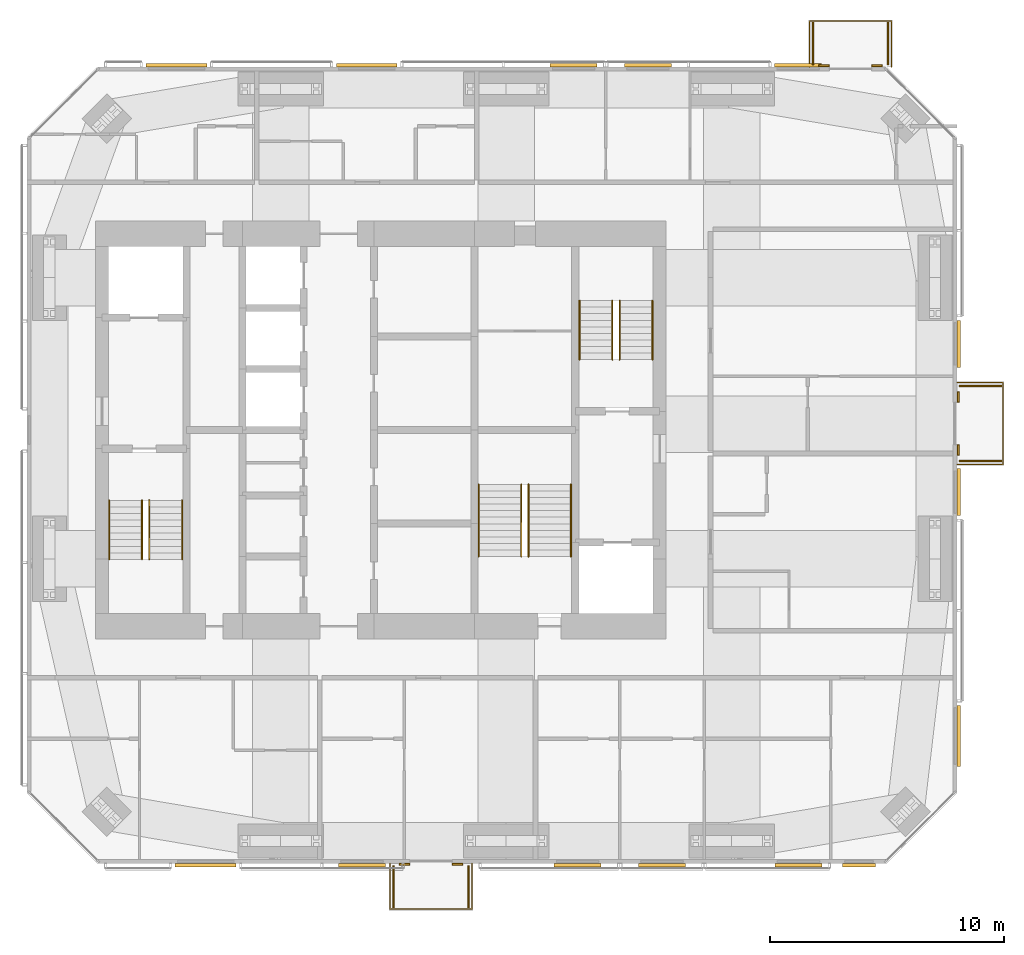
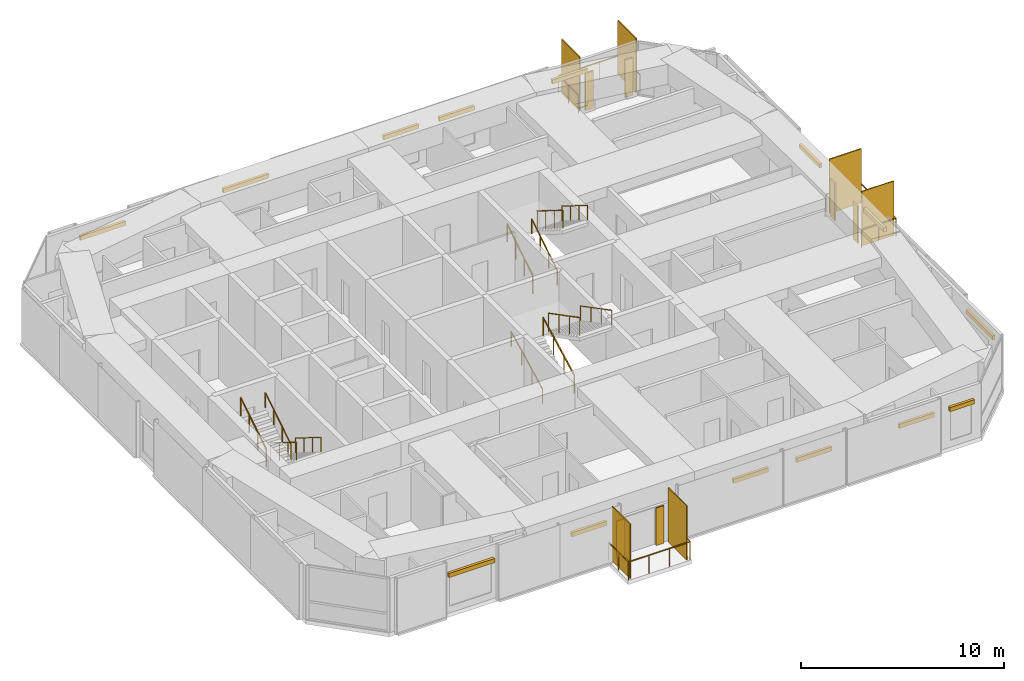
# One storey, part 18 of 18: 26 shading devices, 15 railings.
"""IFC4 building model written with IfcOpenShell, lengths in metres."""

from ifc_helpers import new_model, si_unit, direction, frame, origin, origin_2d, place, context, subcontext, project, spatial, rectangle, circle, extrude, material, layer, layer_set, constituent, constituent_set, type_object, element, save


model = new_model("IFC4")

# Units and contexts
model_context = context("Model", 3, precision=1e-05, world=origin(), true_north=direction((0.0, 1.0)))
body_context = subcontext(model_context, "Body", "Model", "MODEL_VIEW")
ifc_project = project(units=[si_unit("LENGTHUNIT", "METRE"), si_unit("AREAUNIT", "SQUARE_METRE"), si_unit("VOLUMEUNIT", "CUBIC_METRE"), si_unit("PLANEANGLEUNIT", "RADIAN"), si_unit("MASSUNIT", "GRAM", prefix="KILO")], contexts=[model_context])

# Site, building, storey
site_placement = place(None, origin())
site = spatial("IfcSite", under=ifc_project, at=site_placement, CompositionType="ELEMENT")
building_placement = place(site_placement, origin())
building = spatial("IfcBuilding", under=site, at=building_placement, Name="Jalousie Tower", CompositionType="ELEMENT")
storey_placement = place(building_placement, frame((0.0, 0.0, 228.449951171875)))
storey = spatial("IfcBuildingStorey", under=building, at=storey_placement, Name="L62", CompositionType="ELEMENT", Elevation=228.449951171875)

# Shading devices
ifc_material_1 = material(Name="Aluminium impact-rated louvred storm shutter", Category="aluminium")
shading_device_type_1 = type_object("IfcShadingDeviceType", Name="BI-FOLD STORM SHUTTER 900x2250", PredefinedType="SHUTTER", material=ifc_material_1)
for number, where, z_axis, x_axis, name in (
    (1, (32.9150390625, -0.0400390625, 0.0), (0.0, 0.0, 1.0), (1.0, 0.0, 0.0), "Balcony storm shutter L62"),
    (2, (35.1650390625, -0.0400390625, 0.0), (0.0, 0.0, 1.0), (1.0, 0.0, 0.0), "Balcony storm shutter L62"),
    (3, (56.5400390625, 17.64990234375, 0.0), (0.0, 0.0, 1.0), (0.0, 1.0, 0.0), "Balcony storm shutter L62"),
    (4, (56.5400390625, 19.89990234375, 0.0), (0.0, 0.0, 1.0), (0.0, 1.0, 0.0), "Balcony storm shutter L62"),
    (5, (53.07373046875, 34.0400390625, 0.0), (0.0, 0.0, 1.0), (-1.0, 0.0, 0.0), "Balcony storm shutter L62"),
    (6, (50.82373046875, 34.0400390625, 0.0), (0.0, 0.0, 1.0), (-1.0, 0.0, 0.0), "Balcony storm shutter L62"),
):
    element("IfcShadingDevice", number, at=place(storey_placement, frame(where, z_axis=z_axis, x_axis=x_axis)), inside=storey, type_object=shading_device_type_1, Name=name, PredefinedType="SHUTTER", context=body_context, shape_type="SweptSolid", body=[
        extrude(rectangle(XDim=0.449951171875, YDim=0.080078125, at=origin_2d()), origin(), (0.0, 0.0, 1.0), 2.25),
    ])

# Railings
ifc_material_2 = material(Name="Powder-coated aluminium fretwork", Category="aluminium")
railing_type_1 = type_object("IfcRailingType", Name="FRETWORK BALUSTRADE 1100", PredefinedType="BALUSTRADE", material=ifc_material_2)
railing_1_placement = place(storey_placement, frame((32.2900390625, 0.0, 0.0)))
element("IfcRailing", 7, at=railing_1_placement, inside=storey, type_object=railing_type_1, Name="Balcony fretwork balustrade L62", PredefinedType="BALUSTRADE", context=body_context, shape_type="SweptSolid", body=[
    extrude(rectangle(XDim=0.048095703125, YDim=0.048095703125, at=origin_2d()), frame((0.0, 0.0, 1.076171875), z_axis=(0.0, -1.0, 0.0), x_axis=(1.0, 0.0, 0.0)), (0.0, 0.0, 1.0), 1.949951171875),
    extrude(rectangle(XDim=0.048095703125, YDim=0.048095703125, at=origin_2d()), frame((0.0, -1.949951171875, 1.076171875), z_axis=(1.0, 0.0, 0.0), x_axis=(0.0, 1.0, 0.0)), (0.0, 0.0, 1.0), 3.5),
    extrude(rectangle(XDim=0.048095703125, YDim=0.048095703125, at=origin_2d()), frame((3.5, -1.949951171875, 1.076171875), z_axis=(0.0, 1.0, 0.0), x_axis=(-1.0, 0.0, 0.0)), (0.0, 0.0, 1.0), 1.949951171875),
    extrude(circle(Radius=0.02099609375, at=origin_2d()), origin(), (0.0, 0.0, 1.0), 1.052001953125),
    extrude(circle(Radius=0.02099609375, at=origin_2d()), frame((0.0, -0.97509765625, 0.0)), (0.0, 0.0, 1.0), 1.052001953125),
    extrude(circle(Radius=0.02099609375, at=origin_2d()), frame((0.0, -1.949951171875, 0.0)), (0.0, 0.0, 1.0), 1.052001953125),
    extrude(circle(Radius=0.02099609375, at=origin_2d()), frame((1.166748046875, -1.949951171875, 0.0)), (0.0, 0.0, 1.0), 1.052001953125),
    extrude(circle(Radius=0.02099609375, at=origin_2d()), frame((2.333251953125, -1.949951171875, 0.0)), (0.0, 0.0, 1.0), 1.052001953125),
    extrude(circle(Radius=0.02099609375, at=origin_2d()), frame((3.5, -1.949951171875, 0.0)), (0.0, 0.0, 1.0), 1.052001953125),
    extrude(circle(Radius=0.02099609375, at=origin_2d()), frame((3.5, -0.97509765625, 0.0)), (0.0, 0.0, 1.0), 1.052001953125),
    extrude(circle(Radius=0.02099609375, at=origin_2d()), frame((3.5, 0.0, 0.0)), (0.0, 0.0, 1.0), 1.052001953125),
])
railing_2_placement = place(storey_placement, frame((56.5, 17.02490234375, 0.0)))
element("IfcRailing", 8, at=railing_2_placement, inside=storey, type_object=railing_type_1, Name="Balcony fretwork balustrade L62", PredefinedType="BALUSTRADE", context=body_context, shape_type="SweptSolid", body=[
    extrude(rectangle(XDim=0.048095703125, YDim=0.048095703125, at=origin_2d()), frame((0.0, 0.0, 1.076171875), z_axis=(1.0, 0.0, 0.0), x_axis=(0.0, 1.0, 0.0)), (0.0, 0.0, 1.0), 1.949951171875),
    extrude(rectangle(XDim=0.048095703125, YDim=0.048095703125, at=origin_2d()), frame((1.949951171875, 0.0, 1.076171875), z_axis=(0.0, 1.0, 0.0), x_axis=(-1.0, 0.0, 0.0)), (0.0, 0.0, 1.0), 3.5),
    extrude(rectangle(XDim=0.048095703125, YDim=0.048095703125, at=origin_2d()), frame((1.949951171875, 3.5, 1.076171875), z_axis=(-1.0, 0.0, 0.0), x_axis=(0.0, -1.0, 0.0)), (0.0, 0.0, 1.0), 1.949951171875),
    extrude(circle(Radius=0.02099609375, at=origin_2d()), origin(), (0.0, 0.0, 1.0), 1.052001953125),
    extrude(circle(Radius=0.02099609375, at=origin_2d()), frame((0.97509765625, 0.0, 0.0)), (0.0, 0.0, 1.0), 1.052001953125),
    extrude(circle(Radius=0.02099609375, at=origin_2d()), frame((1.949951171875, 0.0, 0.0)), (0.0, 0.0, 1.0), 1.052001953125),
    extrude(circle(Radius=0.02099609375, at=origin_2d()), frame((1.949951171875, 1.166748046875, 0.0)), (0.0, 0.0, 1.0), 1.052001953125),
    extrude(circle(Radius=0.02099609375, at=origin_2d()), frame((1.949951171875, 2.333251953125, 0.0)), (0.0, 0.0, 1.0), 1.052001953125),
    extrude(circle(Radius=0.02099609375, at=origin_2d()), frame((1.949951171875, 3.5, 0.0)), (0.0, 0.0, 1.0), 1.052001953125),
    extrude(circle(Radius=0.02099609375, at=origin_2d()), frame((0.97509765625, 3.5, 0.0)), (0.0, 0.0, 1.0), 1.052001953125),
    extrude(circle(Radius=0.02099609375, at=origin_2d()), frame((0.0, 3.5, 0.0)), (0.0, 0.0, 1.0), 1.052001953125),
])
railing_3_placement = place(storey_placement, frame((53.69873046875, 34.0, 0.0)))
element("IfcRailing", 9, at=railing_3_placement, inside=storey, type_object=railing_type_1, Name="Balcony fretwork balustrade L62", PredefinedType="BALUSTRADE", context=body_context, shape_type="SweptSolid", body=[
    extrude(rectangle(XDim=0.048095703125, YDim=0.048095703125, at=origin_2d()), frame((0.0, 0.0, 1.076171875), z_axis=(0.0, 1.0, 0.0), x_axis=(-1.0, 0.0, 0.0)), (0.0, 0.0, 1.0), 1.949951171875),
    extrude(rectangle(XDim=0.048095703125, YDim=0.048095703125, at=origin_2d()), frame((0.0, 1.949951171875, 1.076171875), z_axis=(-1.0, 0.0, 0.0), x_axis=(0.0, -1.0, 0.0)), (0.0, 0.0, 1.0), 3.5),
    extrude(rectangle(XDim=0.048095703125, YDim=0.048095703125, at=origin_2d()), frame((-3.5, 1.949951171875, 1.076171875), z_axis=(0.0, -1.0, 0.0), x_axis=(1.0, 0.0, 0.0)), (0.0, 0.0, 1.0), 1.949951171875),
    extrude(circle(Radius=0.02099609375, at=origin_2d()), origin(), (0.0, 0.0, 1.0), 1.052001953125),
    extrude(circle(Radius=0.02099609375, at=origin_2d()), frame((0.0, 0.97509765625, 0.0)), (0.0, 0.0, 1.0), 1.052001953125),
    extrude(circle(Radius=0.02099609375, at=origin_2d()), frame((0.0, 1.949951171875, 0.0)), (0.0, 0.0, 1.0), 1.052001953125),
    extrude(circle(Radius=0.02099609375, at=origin_2d()), frame((-1.166748046875, 1.949951171875, 0.0)), (0.0, 0.0, 1.0), 1.052001953125),
    extrude(circle(Radius=0.02099609375, at=origin_2d()), frame((-2.333251953125, 1.949951171875, 0.0)), (0.0, 0.0, 1.0), 1.052001953125),
    extrude(circle(Radius=0.02099609375, at=origin_2d()), frame((-3.5, 1.949951171875, 0.0)), (0.0, 0.0, 1.0), 1.052001953125),
    extrude(circle(Radius=0.02099609375, at=origin_2d()), frame((-3.5, 0.97509765625, 0.0)), (0.0, 0.0, 1.0), 1.052001953125),
    extrude(circle(Radius=0.02099609375, at=origin_2d()), frame((-3.5, 0.0, 0.0)), (0.0, 0.0, 1.0), 1.052001953125),
])

# Shading devices
ifc_material_3 = material(Name="Powder-coated aluminium louvres", Category="aluminium")
ifc_layer = layer(ifc_material_3, 0.06005859375)
ifc_layer_set = layer_set([ifc_layer], Name="Powder-coated aluminium louvres")
shading_device_type_2 = type_object("IfcShadingDeviceType", Name="JALOUSIE LOUVRE SCREEN", PredefinedType="JALOUSIE", material=ifc_layer_set)
for number, where, z_axis, x_axis, name in (
    (10, (32.43994140625, -1.0, 0.0), (0.0, 0.0, 1.0), (1.0, 0.0, 0.0), "Jalousie louvre screen L62"),
    (11, (35.639892578125, -1.0, 0.0), (0.0, 0.0, 1.0), (1.0, 0.0, 0.0), "Jalousie louvre screen L62"),
    (12, (57.5, 17.175048828125, 0.0), (0.0, 0.0, 1.0), (0.0, 1.0, 0.0), "Jalousie louvre screen L62"),
    (13, (57.5, 20.375, 0.0), (0.0, 0.0, 1.0), (0.0, 1.0, 0.0), "Jalousie louvre screen L62"),
    (14, (53.548583984375, 35.0, 0.0), (0.0, 0.0, 1.0), (-1.0, 0.0, 0.0), "Jalousie louvre screen L62"),
    (15, (50.3486328125, 35.0, 0.0), (0.0, 0.0, 1.0), (-1.0, 0.0, 0.0), "Jalousie louvre screen L62"),
):
    element("IfcShadingDevice", number, at=place(storey_placement, frame(where, z_axis=z_axis, x_axis=x_axis)), inside=storey, type_object=shading_device_type_2, Name=name, PredefinedType="JALOUSIE", context=body_context, shape_type="SweptSolid", body=[
        extrude(rectangle(XDim=0.06005859375, YDim=1.800048828125, at=origin_2d()), origin(), (0.0, 0.0, 1.0), 3.260009765625),
    ])

# Railings
ifc_material_4 = material(Name="Steel ASTM A500 Grade C", Category="steel")
ifc_constituent_1 = constituent(ifc_material_4, Name="Body")
ifc_material_5 = material(Name="Hot-dip galvanised zinc coating")
ifc_constituent_2 = constituent(ifc_material_5, Name="Finish")
ifc_constituent_set_1 = constituent_set(constituents=[ifc_constituent_1, ifc_constituent_2])
railing_type_2 = type_object("IfcRailingType", Name="STAIR GUARD 1100", PredefinedType="GUARDRAIL", material=ifc_constituent_set_1)
railing_4_placement = place(storey_placement, frame((22.017578125, 15.49755859375, 0.175048828125)))
element("IfcRailing", 16, at=railing_4_placement, inside=storey, type_object=railing_type_2, Name="Exit stair A guard L62 flight 1", PredefinedType="GUARDRAIL", context=body_context, shape_type="SweptSolid", body=[
    extrude(rectangle(XDim=0.048095703125, YDim=0.048095703125, at=origin_2d()), frame((0.0, 0.0, 1.076171875), z_axis=(0.0, -0.848007534815, 0.529984170421), x_axis=(1.0, 0.0, 0.0)), (0.0, 0.0, 1.0), 2.9716796875),
    extrude(circle(Radius=0.02099609375, at=origin_2d()), origin(), (0.0, 0.0, 1.0), 1.052001953125),
    extrude(circle(Radius=0.02099609375, at=origin_2d()), frame((0.0, -0.840087890625, 0.52490234375)), (0.0, 0.0, 1.0), 1.052001953125),
    extrude(circle(Radius=0.02099609375, at=origin_2d()), frame((0.0, -1.679931640625, 1.050048828125)), (0.0, 0.0, 1.0), 1.052001953125),
    extrude(circle(Radius=0.02099609375, at=origin_2d()), frame((0.0, -2.52001953125, 1.574951171875)), (0.0, 0.0, 1.0), 1.052001953125),
])
for number, where, name in (
    (17, (20.304931640625, 12.9775390625, 1.925048828125), "Exit stair A guard L62 flight 2"),
    (18, (40.3798828125, 21.50244140625, 0.175048828125), "Exit stair B guard L62 flight 1"),
):
    element("IfcRailing", number, at=place(storey_placement, frame(where)), inside=storey, type_object=railing_type_2, Name=name, PredefinedType="GUARDRAIL", context=body_context, shape_type="SweptSolid", body=[
        extrude(rectangle(XDim=0.048095703125, YDim=0.048095703125, at=origin_2d()), frame((0.0, 0.0, 1.076171875), z_axis=(0.0, 0.848007534815, 0.529984170421), x_axis=(-1.0, 0.0, 0.0)), (0.0, 0.0, 1.0), 2.9716796875),
        extrude(circle(Radius=0.02099609375, at=origin_2d()), origin(), (0.0, 0.0, 1.0), 1.052001953125),
        extrude(circle(Radius=0.02099609375, at=origin_2d()), frame((0.0, 0.840087890625, 0.52490234375)), (0.0, 0.0, 1.0), 1.052001953125),
        extrude(circle(Radius=0.02099609375, at=origin_2d()), frame((0.0, 1.679931640625, 1.050048828125)), (0.0, 0.0, 1.0), 1.052001953125),
        extrude(circle(Radius=0.02099609375, at=origin_2d()), frame((0.0, 2.52001953125, 1.574951171875)), (0.0, 0.0, 1.0), 1.052001953125),
    ])
railing_5_placement = place(storey_placement, frame((42.092529296875, 24.0224609375, 1.925048828125)))
element("IfcRailing", 19, at=railing_5_placement, inside=storey, type_object=railing_type_2, Name="Exit stair B guard L62 flight 2", PredefinedType="GUARDRAIL", context=body_context, shape_type="SweptSolid", body=[
    extrude(rectangle(XDim=0.048095703125, YDim=0.048095703125, at=origin_2d()), frame((0.0, 0.0, 1.076171875), z_axis=(0.0, -0.848007534815, 0.529984170421), x_axis=(1.0, 0.0, 0.0)), (0.0, 0.0, 1.0), 2.9716796875),
    extrude(circle(Radius=0.02099609375, at=origin_2d()), origin(), (0.0, 0.0, 1.0), 1.052001953125),
    extrude(circle(Radius=0.02099609375, at=origin_2d()), frame((0.0, -0.840087890625, 0.52490234375)), (0.0, 0.0, 1.0), 1.052001953125),
    extrude(circle(Radius=0.02099609375, at=origin_2d()), frame((0.0, -1.679931640625, 1.050048828125)), (0.0, 0.0, 1.0), 1.052001953125),
    extrude(circle(Radius=0.02099609375, at=origin_2d()), frame((0.0, -2.52001953125, 1.574951171875)), (0.0, 0.0, 1.0), 1.052001953125),
])
railing_6_placement = place(storey_placement, frame((37.89501953125, 13.097412109375, 0.145751953125)))
element("IfcRailing", 20, at=railing_6_placement, inside=storey, type_object=railing_type_2, Name="Exit stair C guard L62 flight 1", PredefinedType="GUARDRAIL", context=body_context, shape_type="SweptSolid", body=[
    extrude(rectangle(XDim=0.048095703125, YDim=0.048095703125, at=origin_2d()), frame((0.0, 0.0, 1.076171875), z_axis=(0.0, 0.886909283822, 0.461943635383), x_axis=(-1.0, 0.0, 0.0)), (0.0, 0.0, 1.0), 3.472900390625),
    extrude(circle(Radius=0.02099609375, at=origin_2d()), origin(), (0.0, 0.0, 1.0), 1.052001953125),
    extrude(circle(Radius=0.02099609375, at=origin_2d()), frame((0.0, 1.026611328125, 0.53466796875)), (0.0, 0.0, 1.0), 1.052001953125),
    extrude(circle(Radius=0.02099609375, at=origin_2d()), frame((0.0, 2.053466796875, 1.069580078125)), (0.0, 0.0, 1.0), 1.052001953125),
    extrude(circle(Radius=0.02099609375, at=origin_2d()), frame((0.0, 3.080078125, 1.604248046875)), (0.0, 0.0, 1.0), 1.052001953125),
])
railing_7_placement = place(storey_placement, frame((38.205078125, 16.177490234375, 1.895751953125)))
element("IfcRailing", 21, at=railing_7_placement, inside=storey, type_object=railing_type_2, Name="Exit stair C guard L62 flight 2", PredefinedType="GUARDRAIL", context=body_context, shape_type="SweptSolid", body=[
    extrude(rectangle(XDim=0.048095703125, YDim=0.048095703125, at=origin_2d()), frame((0.0, 0.0, 1.076171875), z_axis=(0.0, -0.886909283822, 0.461943635383), x_axis=(1.0, 0.0, 0.0)), (0.0, 0.0, 1.0), 3.472900390625),
    extrude(circle(Radius=0.02099609375, at=origin_2d()), origin(), (0.0, 0.0, 1.0), 1.052001953125),
    extrude(circle(Radius=0.02099609375, at=origin_2d()), frame((0.0, -1.026611328125, 0.53466796875)), (0.0, 0.0, 1.0), 1.052001953125),
    extrude(circle(Radius=0.02099609375, at=origin_2d()), frame((0.0, -2.053466796875, 1.069580078125)), (0.0, 0.0, 1.0), 1.052001953125),
    extrude(circle(Radius=0.02099609375, at=origin_2d()), frame((0.0, -3.080078125, 1.604248046875)), (0.0, 0.0, 1.0), 1.052001953125),
])
ifc_material_6 = material(Name="Steel ASTM A500 Grade C", Category="steel")
ifc_constituent_3 = constituent(ifc_material_6, Name="Body")
ifc_material_7 = material(Name="Hot-dip galvanised zinc coating")
ifc_constituent_4 = constituent(ifc_material_7, Name="Finish")
ifc_constituent_set_2 = constituent_set(constituents=[ifc_constituent_3, ifc_constituent_4])
railing_type_3 = type_object("IfcRailingType", Name="STAIR HANDRAIL 900", PredefinedType="HANDRAIL", material=ifc_constituent_set_2)
railing_8_placement = place(storey_placement, frame((23.420166015625, 15.49755859375, 0.175048828125)))
element("IfcRailing", 22, at=railing_8_placement, inside=storey, type_object=railing_type_3, Name="Exit stair A handrail L62 flight 1", PredefinedType="HANDRAIL", context=body_context, shape_type="SweptSolid", body=[
    extrude(circle(Radius=0.02392578125, at=origin_2d()), frame((0.0, 0.0, 0.8759765625), z_axis=(0.0, -0.848007534815, 0.529984170421), x_axis=(1.0, 0.0, 0.0)), (0.0, 0.0, 1.0), 2.9716796875),
    extrude(circle(Radius=0.02099609375, at=origin_2d()), origin(), (0.0, 0.0, 1.0), 0.851806640625),
    extrude(circle(Radius=0.02099609375, at=origin_2d()), frame((0.0, -0.840087890625, 0.52490234375)), (0.0, 0.0, 1.0), 0.851806640625),
    extrude(circle(Radius=0.02099609375, at=origin_2d()), frame((0.0, -1.679931640625, 1.050048828125)), (0.0, 0.0, 1.0), 0.851806640625),
    extrude(circle(Radius=0.02099609375, at=origin_2d()), frame((0.0, -2.52001953125, 1.574951171875)), (0.0, 0.0, 1.0), 0.851806640625),
])
for number, where, name in (
    (23, (21.70751953125, 12.9775390625, 1.925048828125), "Exit stair A handrail L62 flight 2"),
    (24, (41.782470703125, 21.50244140625, 0.175048828125), "Exit stair B handrail L62 flight 1"),
):
    element("IfcRailing", number, at=place(storey_placement, frame(where)), inside=storey, type_object=railing_type_3, Name=name, PredefinedType="HANDRAIL", context=body_context, shape_type="SweptSolid", body=[
        extrude(circle(Radius=0.02392578125, at=origin_2d()), frame((0.0, 0.0, 0.8759765625), z_axis=(0.0, 0.848007534815, 0.529984170421), x_axis=(-1.0, 0.0, 0.0)), (0.0, 0.0, 1.0), 2.9716796875),
        extrude(circle(Radius=0.02099609375, at=origin_2d()), origin(), (0.0, 0.0, 1.0), 0.851806640625),
        extrude(circle(Radius=0.02099609375, at=origin_2d()), frame((0.0, 0.840087890625, 0.52490234375)), (0.0, 0.0, 1.0), 0.851806640625),
        extrude(circle(Radius=0.02099609375, at=origin_2d()), frame((0.0, 1.679931640625, 1.050048828125)), (0.0, 0.0, 1.0), 0.851806640625),
        extrude(circle(Radius=0.02099609375, at=origin_2d()), frame((0.0, 2.52001953125, 1.574951171875)), (0.0, 0.0, 1.0), 0.851806640625),
    ])
railing_9_placement = place(storey_placement, frame((43.4951171875, 24.0224609375, 1.925048828125)))
element("IfcRailing", 25, at=railing_9_placement, inside=storey, type_object=railing_type_3, Name="Exit stair B handrail L62 flight 2", PredefinedType="HANDRAIL", context=body_context, shape_type="SweptSolid", body=[
    extrude(circle(Radius=0.02392578125, at=origin_2d()), frame((0.0, 0.0, 0.8759765625), z_axis=(0.0, -0.848007534815, 0.529984170421), x_axis=(1.0, 0.0, 0.0)), (0.0, 0.0, 1.0), 2.9716796875),
    extrude(circle(Radius=0.02099609375, at=origin_2d()), origin(), (0.0, 0.0, 1.0), 0.851806640625),
    extrude(circle(Radius=0.02099609375, at=origin_2d()), frame((0.0, -0.840087890625, 0.52490234375)), (0.0, 0.0, 1.0), 0.851806640625),
    extrude(circle(Radius=0.02099609375, at=origin_2d()), frame((0.0, -1.679931640625, 1.050048828125)), (0.0, 0.0, 1.0), 0.851806640625),
    extrude(circle(Radius=0.02099609375, at=origin_2d()), frame((0.0, -2.52001953125, 1.574951171875)), (0.0, 0.0, 1.0), 0.851806640625),
])
railing_10_placement = place(storey_placement, frame((36.080078125, 13.097412109375, 0.145751953125)))
element("IfcRailing", 26, at=railing_10_placement, inside=storey, type_object=railing_type_3, Name="Exit stair C handrail L62 flight 1", PredefinedType="HANDRAIL", context=body_context, shape_type="SweptSolid", body=[
    extrude(circle(Radius=0.02392578125, at=origin_2d()), frame((0.0, 0.0, 0.8759765625), z_axis=(0.0, 0.886909283822, 0.461943635383), x_axis=(-1.0, 0.0, 0.0)), (0.0, 0.0, 1.0), 3.472900390625),
    extrude(circle(Radius=0.02099609375, at=origin_2d()), origin(), (0.0, 0.0, 1.0), 0.851806640625),
    extrude(circle(Radius=0.02099609375, at=origin_2d()), frame((0.0, 1.026611328125, 0.53466796875)), (0.0, 0.0, 1.0), 0.851806640625),
    extrude(circle(Radius=0.02099609375, at=origin_2d()), frame((0.0, 2.053466796875, 1.069580078125)), (0.0, 0.0, 1.0), 0.851806640625),
    extrude(circle(Radius=0.02099609375, at=origin_2d()), frame((0.0, 3.080078125, 1.604248046875)), (0.0, 0.0, 1.0), 0.851806640625),
])
railing_11_placement = place(storey_placement, frame((40.02001953125, 16.177490234375, 1.895751953125)))
element("IfcRailing", 27, at=railing_11_placement, inside=storey, type_object=railing_type_3, Name="Exit stair C handrail L62 flight 2", PredefinedType="HANDRAIL", context=body_context, shape_type="SweptSolid", body=[
    extrude(circle(Radius=0.02392578125, at=origin_2d()), frame((0.0, 0.0, 0.8759765625), z_axis=(0.0, -0.886909283822, 0.461943635383), x_axis=(1.0, 0.0, 0.0)), (0.0, 0.0, 1.0), 3.472900390625),
    extrude(circle(Radius=0.02099609375, at=origin_2d()), origin(), (0.0, 0.0, 1.0), 0.851806640625),
    extrude(circle(Radius=0.02099609375, at=origin_2d()), frame((0.0, -1.026611328125, 0.53466796875)), (0.0, 0.0, 1.0), 0.851806640625),
    extrude(circle(Radius=0.02099609375, at=origin_2d()), frame((0.0, -2.053466796875, 1.069580078125)), (0.0, 0.0, 1.0), 0.851806640625),
    extrude(circle(Radius=0.02099609375, at=origin_2d()), frame((0.0, -3.080078125, 1.604248046875)), (0.0, 0.0, 1.0), 0.851806640625),
])

# Shading devices
ifc_material_8 = material(Name="Aluminium roller storm shutter", Category="aluminium")
shading_device_type_3 = type_object("IfcShadingDeviceType", Name="STORM SHUTTER HOUSING", PredefinedType="SHUTTER", material=ifc_material_8)
shading_device_1_placement = place(storey_placement, frame((24.423583984375, -0.074951171875, 2.25), z_axis=(0.0, 0.0, 1.0), x_axis=(1.0, 0.0, 0.0)))
element("IfcShadingDevice", 28, at=shading_device_1_placement, inside=storey, type_object=shading_device_type_3, Name="Storm shutter L62", PredefinedType="SHUTTER", context=body_context, shape_type="SweptSolid", body=[
    extrude(rectangle(XDim=2.60009765625, YDim=0.14990234375, at=origin_2d()), origin(), (0.0, 0.0, 1.0), 0.25),
])
for number, where, z_axis, x_axis, name in (
    (29, (31.10009765625, -0.074951171875, 2.25), (0.0, 0.0, 1.0), (1.0, 0.0, 0.0), "Storm shutter L62"),
    (30, (40.300048828125, -0.074951171875, 2.25), (0.0, 0.0, 1.0), (1.0, 0.0, 0.0), "Storm shutter L62"),
    (31, (43.89990234375, -0.074951171875, 2.25), (0.0, 0.0, 1.0), (1.0, 0.0, 0.0), "Storm shutter L62"),
    (32, (49.72998046875, -0.074951171875, 2.25), (0.0, 0.0, 1.0), (1.0, 0.0, 0.0), "Storm shutter L62"),
):
    element("IfcShadingDevice", number, at=place(storey_placement, frame(where, z_axis=z_axis, x_axis=x_axis)), inside=storey, type_object=shading_device_type_3, Name=name, PredefinedType="SHUTTER", context=body_context, shape_type="SweptSolid", body=[
        extrude(rectangle(XDim=2.0, YDim=0.14990234375, at=origin_2d()), origin(), (0.0, 0.0, 1.0), 0.25),
    ])
shading_device_2_placement = place(storey_placement, frame((52.312744140625, -0.074951171875, 2.25), z_axis=(0.0, 0.0, 1.0), x_axis=(1.0, 0.0, 0.0)))
element("IfcShadingDevice", 33, at=shading_device_2_placement, inside=storey, type_object=shading_device_type_3, Name="Storm shutter L62", PredefinedType="SHUTTER", context=body_context, shape_type="SweptSolid", body=[
    extrude(rectangle(XDim=1.39990234375, YDim=0.14990234375, at=origin_2d()), origin(), (0.0, 0.0, 1.0), 0.25),
])
shading_device_3_placement = place(storey_placement, frame((56.574951171875, 5.43798828125, 2.25), z_axis=(0.0, 0.0, 1.0), x_axis=(0.0, 1.0, 0.0)))
element("IfcShadingDevice", 34, at=shading_device_3_placement, inside=storey, type_object=shading_device_type_3, Name="Storm shutter L62", PredefinedType="SHUTTER", context=body_context, shape_type="SweptSolid", body=[
    extrude(rectangle(XDim=2.60009765625, YDim=0.14990234375, at=origin_2d()), origin(), (0.0, 0.0, 1.0), 0.25),
])
for number, where, z_axis, x_axis, name in (
    (35, (56.574951171875, 15.848388671875, 2.25), (0.0, 0.0, 1.0), (0.0, 1.0, 0.0), "Storm shutter L62"),
    (36, (56.574951171875, 22.175048828125, 2.25), (0.0, 0.0, 1.0), (0.0, 1.0, 0.0), "Storm shutter L62"),
    (37, (49.713623046875, 34.074951171875, 2.25), (0.0, 0.0, 1.0), (-1.0, 0.0, 0.0), "Storm shutter L62"),
    (38, (43.300048828125, 34.074951171875, 2.25), (0.0, 0.0, 1.0), (-1.0, 0.0, 0.0), "Storm shutter L62"),
    (39, (40.12890625, 34.074951171875, 2.25), (0.0, 0.0, 1.0), (-1.0, 0.0, 0.0), "Storm shutter L62"),
):
    element("IfcShadingDevice", number, at=place(storey_placement, frame(where, z_axis=z_axis, x_axis=x_axis)), inside=storey, type_object=shading_device_type_3, Name=name, PredefinedType="SHUTTER", context=body_context, shape_type="SweptSolid", body=[
        extrude(rectangle(XDim=2.0, YDim=0.14990234375, at=origin_2d()), origin(), (0.0, 0.0, 1.0), 0.25),
    ])
for number, where, z_axis, x_axis, name in (
    (40, (31.300048828125, 34.074951171875, 2.25), (0.0, 0.0, 1.0), (-1.0, 0.0, 0.0), "Storm shutter L62"),
    (41, (23.175537109375, 34.074951171875, 2.25), (0.0, 0.0, 1.0), (-1.0, 0.0, 0.0), "Storm shutter L62"),
):
    element("IfcShadingDevice", number, at=place(storey_placement, frame(where, z_axis=z_axis, x_axis=x_axis)), inside=storey, type_object=shading_device_type_3, Name=name, PredefinedType="SHUTTER", context=body_context, shape_type="SweptSolid", body=[
        extrude(rectangle(XDim=2.60009765625, YDim=0.14990234375, at=origin_2d()), origin(), (0.0, 0.0, 1.0), 0.25),
    ])

save(model, "model.ifc")
